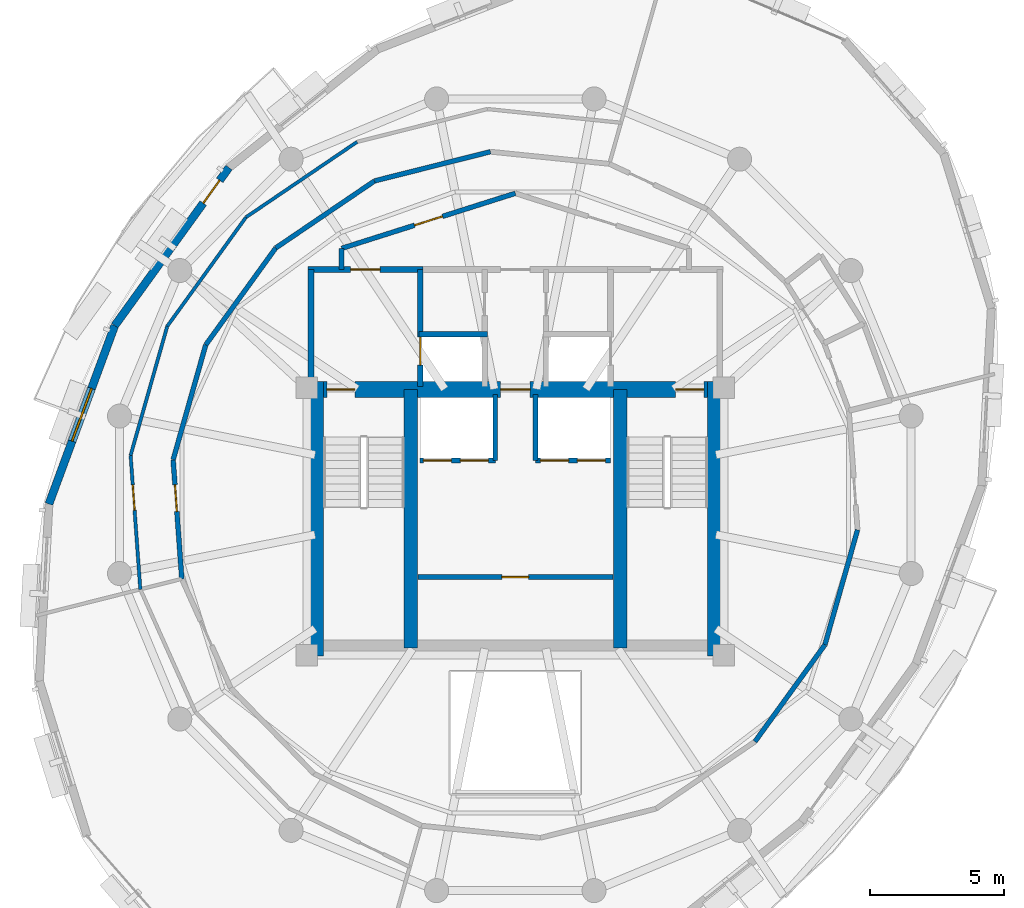
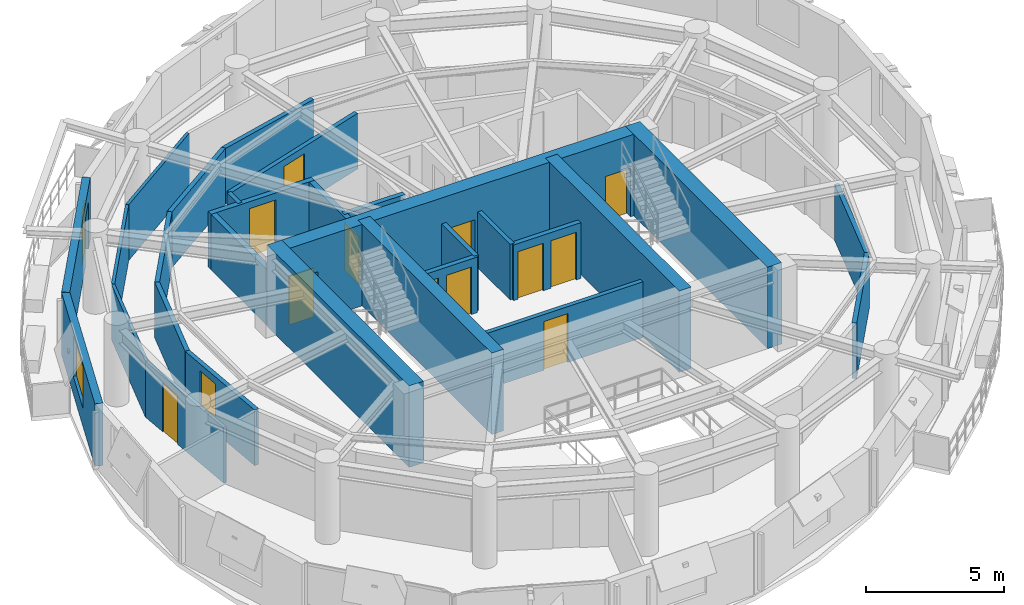
# One storey, part 7 of 11: 29 walls, 14 doors, 1 window, 15 openings.
"""IFC4 building model written with IfcOpenShell, lengths in metres."""

from ifc_helpers import new_model, si_unit, direction, frame, frame_2d, origin, place, context, subcontext, project, spatial, rectangle, extrude, material, layer, layer_set, type_object, element, fill, save


model = new_model("IFC4")

# Units and contexts
model_context = context("Model", 3, precision=1e-05, world=origin(), true_north=direction((0.0, 1.0)))
body_context = subcontext(model_context, "Body", "Model", "MODEL_VIEW")
ifc_project = project(units=[si_unit("LENGTHUNIT", "METRE"), si_unit("AREAUNIT", "SQUARE_METRE"), si_unit("VOLUMEUNIT", "CUBIC_METRE"), si_unit("PLANEANGLEUNIT", "RADIAN"), si_unit("MASSUNIT", "GRAM", prefix="KILO"), si_unit("THERMODYNAMICTEMPERATUREUNIT", "KELVIN"), si_unit("POWERUNIT", "WATT")], contexts=[model_context])

# Site, building, storey
site_placement = place(None, origin())
site = spatial("IfcSite", under=ifc_project, at=site_placement, CompositionType="ELEMENT")
building_placement = place(site_placement, origin())
building = spatial("IfcBuilding", under=site, at=building_placement, Name="Ocrelia Relay Tower", CompositionType="ELEMENT")
storey_placement = place(building_placement, frame((0.0, 0.0, 255.60009765625)))
storey = spatial("IfcBuildingStorey", under=building, at=storey_placement, Name="L63", CompositionType="ELEMENT", Elevation=255.60009765625)

# Wall, openings, doors
ifc_material_1 = material(Name="Concrete C50/60", Category="concrete")
ifc_layer_1 = layer(ifc_material_1, 0.60009765625, Name="Concrete C50/60")
ifc_layer_set_1 = layer_set([ifc_layer_1], Name="Concrete C50/60")
wall_type_1 = type_object("IfcWallType", Name="CW-CORE-600B", PredefinedType="SHEAR", material=ifc_layer_set_1)
wall_1_placement = place(storey_placement, frame((26.221923828125, 29.93798828125, 0.0), z_axis=(0.0, 0.0, 1.0), x_axis=(1.0, 0.0, 0.0)))
wall_1 = element("IfcWall", 1, at=wall_1_placement, inside=storey, type_object=wall_type_1, Name="L63 Core Shear Wall N", PredefinedType="SHEAR", context=body_context, shape_type="SweptSolid", body=[
    extrude(rectangle(XDim=15.566162109375, YDim=0.60009765625, at=frame_2d((7.783203125, 0.0))), origin(), (0.0, 0.0, 1.0), 3.599853515625),
])
opening_1_placement = place(wall_1_placement, frame((0.72802734375, 0.0, 0.0)))
opening_1 = element("IfcOpeningElement", 2, at=opening_1_placement, cuts=wall_1, Name="Opening D-FD90", PredefinedType="OPENING", context=body_context, shape_type="SweptSolid", body=[
    extrude(rectangle(XDim=1.050048828125, YDim=2.14990234375, at=frame_2d((0.52490234375, 1.074951171875))), frame((0.0, 0.31005859375, 0.0), z_axis=(0.0, -1.0, 0.0), x_axis=(1.0, 0.0, 0.0)), (0.0, 0.0, 1.0), 0.6201171875),
])
opening_2_placement = place(wall_1_placement, frame((13.778076171875, 0.0, 0.0)))
opening_2 = element("IfcOpeningElement", 3, at=opening_2_placement, cuts=wall_1, Name="Opening D-FD90", PredefinedType="OPENING", context=body_context, shape_type="SweptSolid", body=[
    extrude(rectangle(XDim=1.050048828125, YDim=2.14990234375, at=frame_2d((0.52490234375, 1.074951171875))), frame((0.0, 0.31005859375, 0.0), z_axis=(0.0, -1.0, 0.0), x_axis=(1.0, 0.0, 0.0)), (0.0, 0.0, 1.0), 0.6201171875),
])
opening_3_placement = place(wall_1_placement, frame((7.22802734375, 0.0, 0.0)))
opening_3 = element("IfcOpeningElement", 4, at=opening_3_placement, cuts=wall_1, Name="Opening D-FD60", PredefinedType="OPENING", context=body_context, shape_type="SweptSolid", body=[
    extrude(rectangle(XDim=1.10009765625, YDim=2.14990234375, at=frame_2d((0.550048828125, 1.074951171875))), frame((0.0, 0.31005859375, 0.0), z_axis=(0.0, -1.0, 0.0), x_axis=(1.0, 0.0, 0.0)), (0.0, 0.0, 1.0), 0.6201171875),
])
ifc_material_2 = material(Name="Timber-core 60-min acoustic fire door", Category="wood")
door_type_1 = type_object("IfcDoorType", Name="DR-LOBBY-FD60-1100", OperationType="NOTDEFINED", PredefinedType="DOOR", material=ifc_material_2)
door_1_placement = place(opening_3_placement, origin())
door_1 = element("IfcDoor", 5, at=door_1_placement, inside=storey, type_object=door_type_1, Name="L63 Core Lift Lobby North Fire Door", OperationType="SINGLE_SWING_LEFT", OverallHeight=2.14990234375, OverallWidth=1.10009765625, PredefinedType="DOOR", context=body_context, shape_type="SweptSolid", body=[
    extrude(rectangle(XDim=1.10009765625, YDim=2.14990234375, at=frame_2d((0.550048828125, 1.074951171875))), frame((0.0, 0.02490234375, 0.0), z_axis=(0.0, -1.0, 0.0), x_axis=(1.0, 0.0, 0.0)), (0.0, 0.0, 1.0), 0.050048828125),
])
fill(opening_3, door_1)
ifc_material_3 = material(Name="Steel S355 90-min fire door", Category="steel")
door_type_2 = type_object("IfcDoorType", Name="DR-STAIR-FD90-1050", OperationType="NOTDEFINED", PredefinedType="DOOR", material=ifc_material_3)
door_2_placement = place(opening_1_placement, origin())
door_2 = element("IfcDoor", 6, at=door_2_placement, inside=storey, type_object=door_type_2, Name="L63 Stair ST1 Fire Door", OperationType="SINGLE_SWING_LEFT", OverallHeight=2.14990234375, OverallWidth=1.050048828125, PredefinedType="DOOR", context=body_context, shape_type="SweptSolid", body=[
    extrude(rectangle(XDim=1.050048828125, YDim=2.14990234375, at=frame_2d((0.52490234375, 1.074951171875))), frame((0.0, 0.02490234375, 0.0), z_axis=(0.0, -1.0, 0.0), x_axis=(1.0, 0.0, 0.0)), (0.0, 0.0, 1.0), 0.050048828125),
])
fill(opening_1, door_2)
door_3_placement = place(opening_2_placement, origin())
door_3 = element("IfcDoor", 7, at=door_3_placement, inside=storey, type_object=door_type_2, Name="L63 Stair ST2 Fire Door", OperationType="SINGLE_SWING_RIGHT", OverallHeight=2.14990234375, OverallWidth=1.050048828125, PredefinedType="DOOR", context=body_context, shape_type="SweptSolid", body=[
    extrude(rectangle(XDim=1.050048828125, YDim=2.14990234375, at=frame_2d((0.52490234375, 1.074951171875))), frame((0.0, 0.02490234375, 0.0), z_axis=(0.0, -1.0, 0.0), x_axis=(1.0, 0.0, 0.0)), (0.0, 0.0, 1.0), 0.050048828125),
])
fill(opening_2, door_3)

# Walls
for number, where, z_axis, x_axis, name in (
    (8, (26.52197265625, 19.9619140625, 0.0), (0.0, 0.0, 1.0), (0.0, 1.0, 0.0), "L63 Core Shear Wall W"),
    (9, (41.488037109375, 19.9619140625, 0.0), (0.0, 0.0, 1.0), (0.0, 1.0, 0.0), "L63 Core Shear Wall E"),
):
    element("IfcWall", number, at=place(storey_placement, frame(where, z_axis=z_axis, x_axis=x_axis)), inside=storey, type_object=wall_type_1, Name=name, PredefinedType="SHEAR", context=body_context, shape_type="SweptSolid", body=[
        extrude(rectangle(XDim=10.276123046875, YDim=0.60009765625, at=frame_2d((5.13818359375, 0.0))), origin(), (0.0, 0.0, 1.0), 3.599853515625),
    ])
for number, where, z_axis, x_axis, name in (
    (10, (30.087890625, 20.261962890625, 0.0), (0.0, 0.0, 1.0), (0.0, 1.0, 0.0), "L63 Core Shear Wall SPW"),
    (11, (37.922119140625, 20.261962890625, 0.0), (0.0, 0.0, 1.0), (0.0, 1.0, 0.0), "L63 Core Shear Wall SPE"),
):
    element("IfcWall", number, at=place(storey_placement, frame(where, z_axis=z_axis, x_axis=x_axis)), inside=storey, type_object=wall_type_1, Name=name, PredefinedType="SHEAR", context=body_context, shape_type="SweptSolid", body=[
        extrude(rectangle(XDim=9.676025390625, YDim=0.5, at=frame_2d((4.837890625, 0.0))), origin(), (0.0, 0.0, 1.0), 3.599853515625),
    ])

# Wall, opening, door
ifc_material_4 = material(Name="Gypsum Fireboard Partition EI60", Category="gypsum")
ifc_layer_2 = layer(ifc_material_4, 0.179931640625, Name="Gypsum Fireboard Partition EI60")
ifc_layer_set_2 = layer_set([ifc_layer_2], Name="Gypsum Fireboard Partition EI60")
wall_type_2 = type_object("IfcWallType", Name="W-CORR-EI60-180", PredefinedType="PARTITIONING", material=ifc_layer_set_2)
wall_2_placement = place(storey_placement, frame((30.35009765625, 22.919921875, 0.0), z_axis=(0.0, 0.0, 1.0), x_axis=(1.0, 0.0, 0.0)))
wall_2 = element("IfcWall", 12, at=wall_2_placement, inside=storey, type_object=wall_type_2, Name="L63 Reclaimed Core Room Partition", PredefinedType="PARTITIONING", context=body_context, shape_type="SweptSolid", body=[
    extrude(rectangle(XDim=7.2998046875, YDim=0.179931640625, at=frame_2d((3.64990234375, 0.0))), origin(), (0.0, 0.0, 1.0), 2.4599609375),
])
opening_4_placement = place(wall_2_placement, frame((3.14990234375, 0.0, 0.0)))
opening_4 = element("IfcOpeningElement", 13, at=opening_4_placement, cuts=wall_2, Name="Opening D-RM100", PredefinedType="OPENING", context=body_context, shape_type="SweptSolid", body=[
    extrude(rectangle(XDim=1.0, YDim=2.14990234375, at=frame_2d((0.5, 1.074951171875))), frame((0.0, 0.10009765625, 0.0), z_axis=(0.0, -1.0, 0.0), x_axis=(1.0, 0.0, 0.0)), (0.0, 0.0, 1.0), 0.199951171875),
])
ifc_material_5 = material(Name="Acoustic oak veneer fire door", Category="wood")
door_type_3 = type_object("IfcDoorType", Name="DR-ROOM-FD60-1000", OperationType="NOTDEFINED", PredefinedType="DOOR", material=ifc_material_5)
door_4_placement = place(opening_4_placement, origin())
door_4 = element("IfcDoor", 14, at=door_4_placement, inside=storey, type_object=door_type_3, Name="L63 Calibration Laboratory Door", OperationType="SINGLE_SWING_LEFT", OverallHeight=2.14990234375, OverallWidth=1.0, PredefinedType="DOOR", context=body_context, shape_type="SweptSolid", body=[
    extrude(rectangle(XDim=1.0, YDim=2.14990234375, at=frame_2d((0.5, 1.074951171875))), frame((0.0, 0.02490234375, 0.0), z_axis=(0.0, -1.0, 0.0), x_axis=(1.0, 0.0, 0.0)), (0.0, 0.0, 1.0), 0.050048828125),
])
fill(opening_4, door_4)

# Wall
wall_3_placement = place(storey_placement, frame((27.5, 34.429931640625, 0.0), z_axis=(0.0, 0.0, 1.0), x_axis=(0.0, 1.0, 0.0)))
element("IfcWall", 15, at=wall_3_placement, inside=storey, type_object=wall_type_2, Name="L63 Smoke Lobby West Return", PredefinedType="PARTITIONING", context=body_context, shape_type="SweptSolid", body=[
    extrude(rectangle(XDim=0.7890625, YDim=0.179931640625, at=frame_2d((0.39453125, 0.0))), origin(), (0.0, 0.0, 1.0), 2.4599609375),
])

# Wall, opening, door
wall_4_placement = place(storey_placement, frame((27.5, 35.218994140625, 0.0), z_axis=(0.0, 0.0, 1.0), x_axis=(0.953228121756, 0.302251795518, 0.0)))
wall_4 = element("IfcWall", 16, at=wall_4_placement, inside=storey, type_object=wall_type_2, Name="L63 North Smoke Lobby W Screen Wall", PredefinedType="PARTITIONING", context=body_context, shape_type="SweptSolid", body=[
    extrude(rectangle(XDim=6.81884765625, YDim=0.179931640625, at=frame_2d((3.409423828125, 0.0))), origin(), (0.0, 0.0, 1.0), 2.4599609375),
])
opening_5_placement = place(wall_4_placement, frame((2.859619140625, 0.0, 0.0)))
opening_5 = element("IfcOpeningElement", 17, at=opening_5_placement, cuts=wall_4, Name="Opening D-FD60", PredefinedType="OPENING", context=body_context, shape_type="SweptSolid", body=[
    extrude(rectangle(XDim=1.10009765625, YDim=2.14990234375, at=frame_2d((0.550048828125, 1.074951171875))), frame((0.0, 0.10009765625, 0.0), z_axis=(0.0, -1.0, 0.0), x_axis=(1.0, 0.0, 0.0)), (0.0, 0.0, 1.0), 0.199951171875),
])
door_5_placement = place(opening_5_placement, origin())
door_5 = element("IfcDoor", 18, at=door_5_placement, inside=storey, type_object=door_type_1, Name="L63 North Smoke Lobby W Fire Door", OperationType="SINGLE_SWING_RIGHT", OverallHeight=2.14990234375, OverallWidth=1.10009765625, PredefinedType="DOOR", context=body_context, shape_type="SweptSolid", body=[
    extrude(rectangle(XDim=1.10009765625, YDim=2.14990234375, at=frame_2d((0.550048828125, 1.074951171875))), frame((0.0, 0.02490234375, 0.0), z_axis=(0.0, -1.0, 0.0), x_axis=(1.0, 0.0, 0.0)), (0.0, 0.0, 1.0), 0.050048828125),
])
fill(opening_5, door_5)

# Walls
wall_5_placement = place(storey_placement, frame((33.068603515625, 38.836181640625, 0.0), z_axis=(0.0, 0.0, 1.0), x_axis=(-0.969665095123, -0.244437319777, 0.0)))
element("IfcWall", 19, at=wall_5_placement, inside=storey, type_object=wall_type_2, Name="L63 Principal Reading Gallery Corridor Partition 2", PredefinedType="PARTITIONING", context=body_context, shape_type="SweptSolid", body=[
    extrude(rectangle(XDim=4.469482421875, YDim=0.179931640625, at=frame_2d((2.23486328125, 0.0))), origin(), (0.0, 0.0, 1.0), 2.4599609375),
])
for number, where, z_axis, x_axis, name in (
    (20, (28.734619140625, 37.74365234375, 0.0), (0.0, 0.0, 1.0), (-0.827595393885, -0.561325096552, 0.0), "L63 Principal Reading Gallery Corridor Partition 3"),
    (21, (25.035400390625, 35.234619140625, 0.0), (0.0, 0.0, 1.0), (-0.585642107476, -0.810569751441, 0.0), "L63 Principal Reading Gallery Corridor Partition 4"),
    (22, (22.417724609375, 31.611572265625, 0.0), (0.0, 0.0, 1.0), (-0.27310478407, -0.961984291409, 0.0), "L63 Principal Reading Gallery Corridor Partition 5"),
):
    element("IfcWall", number, at=place(storey_placement, frame(where, z_axis=z_axis, x_axis=x_axis)), inside=storey, type_object=wall_type_2, Name=name, PredefinedType="PARTITIONING", context=body_context, shape_type="SweptSolid", body=[
        extrude(rectangle(XDim=4.4697265625, YDim=0.179931640625, at=frame_2d((2.23486328125, 0.0))), origin(), (0.0, 0.0, 1.0), 2.4599609375),
    ])

# Wall, opening, door
wall_6_placement = place(storey_placement, frame((21.197021484375, 27.311767578125, 0.0), z_axis=(0.0, 0.0, 1.0), x_axis=(0.072372694258, -0.997377658225, 0.0)))
wall_6 = element("IfcWall", 23, at=wall_6_placement, inside=storey, type_object=wall_type_2, Name="L63 Principal Reading Gallery Corridor Partition 6", PredefinedType="PARTITIONING", context=body_context, shape_type="SweptSolid", body=[
    extrude(rectangle(XDim=4.4697265625, YDim=0.179931640625, at=frame_2d((2.23486328125, 0.0))), origin(), (0.0, 0.0, 1.0), 2.4599609375),
])
opening_6_placement = place(wall_6_placement, frame((0.9423828125, 0.0, 0.0)))
opening_6 = element("IfcOpeningElement", 24, at=opening_6_placement, cuts=wall_6, Name="Opening D-RM100", PredefinedType="OPENING", context=body_context, shape_type="SweptSolid", body=[
    extrude(rectangle(XDim=1.0, YDim=2.14990234375, at=frame_2d((0.5, 1.074951171875))), frame((0.0, 0.10009765625, 0.0), z_axis=(0.0, -1.0, 0.0), x_axis=(1.0, 0.0, 0.0)), (0.0, 0.0, 1.0), 0.199951171875),
])
door_6_placement = place(opening_6_placement, origin())
door_6 = element("IfcDoor", 25, at=door_6_placement, inside=storey, type_object=door_type_3, Name="L63 Principal Reading Gallery Entrance Door", OperationType="SINGLE_SWING_LEFT", OverallHeight=2.14990234375, OverallWidth=1.0, PredefinedType="DOOR", context=body_context, shape_type="SweptSolid", body=[
    extrude(rectangle(XDim=1.0, YDim=2.14990234375, at=frame_2d((0.5, 1.074951171875))), frame((0.0, 0.02490234375, 0.0), z_axis=(0.0, -1.0, 0.0), x_axis=(1.0, 0.0, 0.0)), (0.0, 0.0, 1.0), 0.050048828125),
])
fill(opening_6, door_6)

# Walls
for number, where, z_axis, x_axis, name in (
    (26, (42.964599609375, 16.765380859375, 0.0), (0.0, 0.0, 1.0), (0.585642107476, 0.810569751441, 0.0), "L63 Fellows Quiet Study Corridor Partition 4"),
    (27, (45.582275390625, 20.388427734375, 0.0), (0.0, 0.0, 1.0), (0.27310478407, 0.961984291409, 0.0), "L63 Fellows Quiet Study Corridor Partition 5"),
):
    element("IfcWall", number, at=place(storey_placement, frame(where, z_axis=z_axis, x_axis=x_axis)), inside=storey, type_object=wall_type_2, Name=name, PredefinedType="PARTITIONING", context=body_context, shape_type="SweptSolid", body=[
        extrude(rectangle(XDim=4.4697265625, YDim=0.179931640625, at=frame_2d((2.23486328125, 0.0))), origin(), (0.0, 0.0, 1.0), 2.4599609375),
    ])

# Wall, opening, door
ifc_material_6 = material(Name="Precast concrete C40/50 with oxide terracotta", Category="masonry")
ifc_layer_3 = layer(ifc_material_6, 0.300048828125, Name="Precast concrete C40/50 with oxide terracotta")
ifc_layer_set_3 = layer_set([ifc_layer_3], Name="Precast concrete C40/50 with oxide terracotta")
wall_type_3 = type_object("IfcWallType", Name="W-EXT-TERR-300", PredefinedType="SOLIDWALL", material=ifc_layer_set_3)
wall_7_placement = place(storey_placement, frame((23.283935546875, 38.24169921875, 0.0), z_axis=(0.0, 0.0, 1.0), x_axis=(-0.585646986442, -0.810566226333, 0.0)))
wall_7 = element("IfcWall", 28, at=wall_7_placement, inside=storey, type_object=wall_type_3, Name="L63 Oxide Terracotta Facade Wall 05", PredefinedType="SOLIDWALL", context=body_context, shape_type="SweptSolid", body=[
    extrude(rectangle(XDim=7.293212890625, YDim=0.300048828125, at=frame_2d((3.646484375, 0.0))), origin(), (0.0, 0.0, 1.0), 2.760009765625),
])
opening_7_placement = place(wall_7_placement, frame((0.590087890625, 0.0, 0.0)))
opening_7 = element("IfcOpeningElement", 29, at=opening_7_placement, cuts=wall_7, Name="Opening DB-105", PredefinedType="OPENING", context=body_context, shape_type="SweptSolid", body=[
    extrude(rectangle(XDim=1.050048828125, YDim=2.14990234375, at=frame_2d((0.52490234375, 1.074951171875))), frame((0.0, 0.16015625, 0.0), z_axis=(0.0, -1.0, 0.0), x_axis=(1.0, 0.0, 0.0)), (0.0, 0.0, 1.0), 0.320068359375),
])
ifc_material_7 = material(Name="Thermally broken aluminium and clear glass", Category="aluminium")
door_type_4 = type_object("IfcDoorType", Name="DR-BALC-1050", OperationType="NOTDEFINED", PredefinedType="DOOR", material=ifc_material_7)
door_7_placement = place(opening_7_placement, origin())
door_7 = element("IfcDoor", 30, at=door_7_placement, inside=storey, type_object=door_type_4, Name="L63 Planted Loggia Balcony Door B1", OperationType="SINGLE_SWING_LEFT", OverallHeight=2.14990234375, OverallWidth=1.050048828125, PredefinedType="DOOR", context=body_context, shape_type="SweptSolid", body=[
    extrude(rectangle(XDim=1.050048828125, YDim=2.14990234375, at=frame_2d((0.52490234375, 1.074951171875))), frame((0.0, 0.02490234375, 0.0), z_axis=(0.0, -1.0, 0.0), x_axis=(1.0, 0.0, 0.0)), (0.0, 0.0, 1.0), 0.050048828125),
])
fill(opening_7, door_7)

# Wall, opening, window
wall_8_placement = place(storey_placement, frame((19.0126953125, 32.330078125, 0.0), z_axis=(0.0, 0.0, 1.0), x_axis=(-0.346249114685, -0.938142606739, 0.0)))
wall_8 = element("IfcWall", 31, at=wall_8_placement, inside=storey, type_object=wall_type_3, Name="L63 Oxide Terracotta Facade Wall 06", PredefinedType="SOLIDWALL", context=body_context, shape_type="SweptSolid", body=[
    extrude(rectangle(XDim=7.115234375, YDim=0.300048828125, at=frame_2d((3.5576171875, 0.0))), origin(), (0.0, 0.0, 1.0), 2.760009765625),
])
opening_8_placement = place(wall_8_placement, frame((2.508056640625, 0.0, 0.800048828125)))
opening_8 = element("IfcOpeningElement", 32, at=opening_8_placement, cuts=wall_8, Name="Opening W-07", PredefinedType="OPENING", context=body_context, shape_type="SweptSolid", body=[
    extrude(rectangle(XDim=2.10009765625, YDim=1.85009765625, at=frame_2d((1.050048828125, 0.925048828125))), frame((0.0, 0.16015625, 0.0), z_axis=(0.0, -1.0, 0.0), x_axis=(1.0, 0.0, 0.0)), (0.0, 0.0, 1.0), 0.320068359375),
])
ifc_material_8 = material(Name="Clear double-glazed low-E glass", Category="glass")
window_type = type_object("IfcWindowType", Name="WIN-Z4-2100x2200", PartitioningType="DOUBLE_PANEL_VERTICAL", PredefinedType="WINDOW", material=ifc_material_8)
window_placement = place(opening_8_placement, origin())
window = element("IfcWindow", 33, at=window_placement, inside=storey, type_object=window_type, Name="L63 Facade Module Window 06", OverallHeight=1.85009765625, OverallWidth=2.10009765625, PartitioningType="SINGLE_PANEL", PredefinedType="WINDOW", context=body_context, shape_type="SweptSolid", body=[
    extrude(rectangle(XDim=2.10009765625, YDim=1.85009765625, at=frame_2d((1.050048828125, 0.925048828125))), frame((0.0, 0.030029296875, 0.0), z_axis=(0.0, -1.0, 0.0), x_axis=(1.0, 0.0, 0.0)), (0.0, 0.0, 1.0), 0.06005859375),
])
fill(opening_8, window)

# Wall
ifc_layer_4 = layer(ifc_material_1, 0.219970703125, Name="Concrete C50/60")
ifc_layer_set_4 = layer_set([ifc_layer_4], Name="Concrete C50/60")
wall_type_4 = type_object("IfcWallType", Name="W-FFL-EI120-220", PredefinedType="SOLIDWALL", material=ifc_layer_set_4)
wall_9_placement = place(storey_placement, frame((26.35009765625, 30.050048828125, 0.0), z_axis=(0.0, 0.0, 1.0), x_axis=(0.0, 1.0, 0.0)))
element("IfcWall", 34, at=wall_9_placement, inside=storey, type_object=wall_type_4, Name="L63 W Fire Service Lift Lobby West Wall", PredefinedType="SOLIDWALL", context=body_context, shape_type="SweptSolid", body=[
    extrude(rectangle(XDim=4.3798828125, YDim=0.219970703125, at=frame_2d((2.18994140625, 0.0))), origin(), (0.0, 0.0, 1.0), 2.4599609375),
])

# Wall, opening, door
wall_10_placement = place(storey_placement, frame((30.43994140625, 30.050048828125, 0.0), z_axis=(0.0, 0.0, 1.0), x_axis=(0.0, 1.0, 0.0)))
wall_10 = element("IfcWall", 35, at=wall_10_placement, inside=storey, type_object=wall_type_4, Name="L63 W Fire Service Lift Lobby East Wall", PredefinedType="SOLIDWALL", context=body_context, shape_type="SweptSolid", body=[
    extrude(rectangle(XDim=4.3798828125, YDim=0.219970703125, at=frame_2d((2.18994140625, 0.0))), origin(), (0.0, 0.0, 1.0), 2.4599609375),
])
opening_9_placement = place(wall_10_placement, frame((0.800048828125, 0.0, 0.0)))
opening_9 = element("IfcOpeningElement", 36, at=opening_9_placement, cuts=wall_10, Name="Opening LD-FFL1", PredefinedType="OPENING", context=body_context, shape_type="SweptSolid", body=[
    extrude(rectangle(XDim=1.050048828125, YDim=2.10009765625, at=frame_2d((0.52490234375, 1.050048828125))), frame((0.0, 0.1201171875, 0.0), z_axis=(0.0, -1.0, 0.0), x_axis=(1.0, 0.0, 0.0)), (0.0, 0.0, 1.0), 0.239990234375),
])
ifc_material_9 = material(Name="Brushed stainless steel S355 lift landing door", Category="steel")
door_type_5 = type_object("IfcDoorType", Name="DR-LIFT-LAND-1050", OperationType="DOUBLE_DOOR_SLIDING", PredefinedType="USERDEFINED", material=ifc_material_9)
door_8_placement = place(opening_9_placement, origin())
door_8 = element("IfcDoor", 37, at=door_8_placement, inside=storey, type_object=door_type_5, Name="L63 Firefighting Lift FFL1 Sliding Landing Door", ObjectType="LANDING DOOR", OperationType="DOUBLE_DOOR_SLIDING", OverallHeight=2.10009765625, OverallWidth=1.050048828125, PredefinedType="USERDEFINED", context=body_context, shape_type="SweptSolid", body=[
    extrude(rectangle(XDim=1.050048828125, YDim=2.10009765625, at=frame_2d((0.52490234375, 1.050048828125))), frame((0.0, 0.02490234375, 0.0), z_axis=(0.0, -1.0, 0.0), x_axis=(1.0, 0.0, 0.0)), (0.0, 0.0, 1.0), 0.050048828125),
])
fill(opening_9, door_8)

wall_11_placement = place(storey_placement, frame((26.239990234375, 34.429931640625, 0.0), z_axis=(0.0, 0.0, 1.0), x_axis=(1.0, 0.0, 0.0)))
wall_11 = element("IfcWall", 38, at=wall_11_placement, inside=storey, type_object=wall_type_4, Name="L63 W Fire Service Lift Lobby North Wall", PredefinedType="SOLIDWALL", context=body_context, shape_type="SweptSolid", body=[
    extrude(rectangle(XDim=4.31005859375, YDim=0.219970703125, at=frame_2d((2.155029296875, 0.0))), origin(), (0.0, 0.0, 1.0), 2.4599609375),
])
opening_10_placement = place(wall_11_placement, frame((1.60009765625, 0.0, 0.0)))
opening_10 = element("IfcOpeningElement", 39, at=opening_10_placement, cuts=wall_11, Name="Opening D-FD60", PredefinedType="OPENING", context=body_context, shape_type="SweptSolid", body=[
    extrude(rectangle(XDim=1.10009765625, YDim=2.14990234375, at=frame_2d((0.550048828125, 1.074951171875))), frame((0.0, 0.1201171875, 0.0), z_axis=(0.0, -1.0, 0.0), x_axis=(1.0, 0.0, 0.0)), (0.0, 0.0, 1.0), 0.239990234375),
])
door_9_placement = place(opening_10_placement, origin())
door_9 = element("IfcDoor", 40, at=door_9_placement, inside=storey, type_object=door_type_1, Name="L63 W Fire Service Lift Lobby Exit Door", OperationType="SINGLE_SWING_RIGHT", OverallHeight=2.14990234375, OverallWidth=1.10009765625, PredefinedType="DOOR", context=body_context, shape_type="SweptSolid", body=[
    extrude(rectangle(XDim=1.10009765625, YDim=2.14990234375, at=frame_2d((0.550048828125, 1.074951171875))), frame((0.0, 0.02490234375, 0.0), z_axis=(0.0, -1.0, 0.0), x_axis=(1.0, 0.0, 0.0)), (0.0, 0.0, 1.0), 0.050048828125),
])
fill(opening_10, door_9)

# Walls
ifc_material_10 = material(Name="Acoustic Fireboard Partition EI60", Category="gypsum")
ifc_layer_5 = layer(ifc_material_10, 0.125, Name="Acoustic Fireboard Partition EI60")
ifc_layer_set_5 = layer_set([ifc_layer_5], Name="Acoustic Fireboard Partition EI60")
wall_type_5 = type_object("IfcWallType", Name="W-PART-125", PredefinedType="PARTITIONING", material=ifc_layer_set_5)
wall_12_placement = place(storey_placement, frame((28.079833984375, 39.20361328125, 0.0), z_axis=(0.0, 0.0, 1.0), x_axis=(-0.827561219807, -0.561375478153, 0.0)))
element("IfcWall", 41, at=wall_12_placement, inside=storey, type_object=wall_type_5, Name="L63 Perimeter Principal Reading Gallery Mid-Ring Partition 3", PredefinedType="PARTITIONING", context=body_context, shape_type="SweptSolid", body=[
    extrude(rectangle(XDim=5.025146484375, YDim=0.125, at=frame_2d((2.5126953125, 0.0))), origin(), (0.0, 0.0, 1.0), 2.4599609375),
])
wall_13_placement = place(storey_placement, frame((23.921142578125, 36.382568359375, 0.0), z_axis=(0.0, 0.0, 1.0), x_axis=(-0.585673229048, -0.810547264986, 0.0)))
element("IfcWall", 42, at=wall_13_placement, inside=storey, type_object=wall_type_5, Name="L63 Perimeter Principal Reading Gallery Mid-Ring Partition 4", PredefinedType="PARTITIONING", context=body_context, shape_type="SweptSolid", body=[
    extrude(rectangle(XDim=5.025634765625, YDim=0.125, at=frame_2d((2.5126953125, 0.0))), origin(), (0.0, 0.0, 1.0), 2.4599609375),
])
wall_14_placement = place(storey_placement, frame((20.977783203125, 32.30908203125, 0.0), z_axis=(0.0, 0.0, 1.0), x_axis=(-0.273084494638, -0.961990051294, 0.0)))
element("IfcWall", 43, at=wall_14_placement, inside=storey, type_object=wall_type_5, Name="L63 Perimeter Principal Reading Gallery Mid-Ring Partition 5", PredefinedType="PARTITIONING", context=body_context, shape_type="SweptSolid", body=[
    extrude(rectangle(XDim=5.025146484375, YDim=0.125, at=frame_2d((2.5126953125, 0.0))), origin(), (0.0, 0.0, 1.0), 2.4599609375),
])

# Wall, opening, door
wall_15_placement = place(storey_placement, frame((19.60546875, 27.474853515625, 0.0), z_axis=(0.0, 0.0, 1.0), x_axis=(0.07233799713, -0.997380175345, 0.0)))
wall_15 = element("IfcWall", 44, at=wall_15_placement, inside=storey, type_object=wall_type_5, Name="L63 Perimeter Principal Reading Gallery Mid-Ring Partition 6", PredefinedType="PARTITIONING", context=body_context, shape_type="SweptSolid", body=[
    extrude(rectangle(XDim=5.025390625, YDim=0.125, at=frame_2d((2.5126953125, 0.0))), origin(), (0.0, 0.0, 1.0), 2.4599609375),
])
opening_11_placement = place(wall_15_placement, frame((1.10888671875, 0.0, 0.0)))
opening_11 = element("IfcOpeningElement", 45, at=opening_11_placement, cuts=wall_15, Name="Opening D-RM95", PredefinedType="OPENING", context=body_context, shape_type="SweptSolid", body=[
    extrude(rectangle(XDim=0.949951171875, YDim=2.14990234375, at=frame_2d((0.47509765625, 1.074951171875))), frame((0.0, 0.072509765625, 0.0), z_axis=(0.0, -1.0, 0.0), x_axis=(1.0, 0.0, 0.0)), (0.0, 0.0, 1.0), 0.14501953125),
])
door_type_6 = type_object("IfcDoorType", Name="DR-ROOM-950", OperationType="NOTDEFINED", PredefinedType="DOOR", material=ifc_material_5)
door_10_placement = place(opening_11_placement, origin())
door_10 = element("IfcDoor", 46, at=door_10_placement, inside=storey, type_object=door_type_6, Name="L63 Perimeter Principal Reading Gallery Connecting Door", OperationType="SINGLE_SWING_RIGHT", OverallHeight=2.14990234375, OverallWidth=0.949951171875, PredefinedType="DOOR", context=body_context, shape_type="SweptSolid", body=[
    extrude(rectangle(XDim=0.949951171875, YDim=2.14990234375, at=frame_2d((0.47509765625, 1.074951171875))), frame((0.0, 0.02490234375, 0.0), z_axis=(0.0, -1.0, 0.0), x_axis=(1.0, 0.0, 0.0)), (0.0, 0.0, 1.0), 0.050048828125),
])
fill(opening_11, door_10)

# Wall
ifc_layer_6 = layer(ifc_material_1, 0.199951171875, Name="Concrete C50/60")
ifc_layer_set_6 = layer_set([ifc_layer_6], Name="Concrete C50/60")
wall_type_6 = type_object("IfcWallType", Name="W-SHAFT-EI120-200", PredefinedType="SOLIDWALL", material=ifc_layer_set_6)
wall_16_placement = place(storey_placement, frame((30.39990234375, 32.0, 0.0), z_axis=(0.0, 0.0, 1.0), x_axis=(1.0, 0.0, 0.0)))
element("IfcWall", 47, at=wall_16_placement, inside=storey, type_object=wall_type_6, Name="L63 FFL1 Hoistway North Wall", PredefinedType="SOLIDWALL", context=body_context, shape_type="SweptSolid", body=[
    extrude(rectangle(XDim=2.550048828125, YDim=0.199951171875, at=frame_2d((1.27490234375, 0.0))), origin(), (0.0, 0.0, 1.0), 2.4599609375),
])

# Wall, openings, doors
wall_17_placement = place(storey_placement, frame((30.43994140625, 27.280029296875, 0.0), z_axis=(0.0, 0.0, 1.0), x_axis=(1.0, 0.0, 0.0)))
wall_17 = element("IfcWall", 48, at=wall_17_placement, inside=storey, type_object=wall_type_6, Name="L63 High-Rise Lift Hoistway Wall W", PredefinedType="SOLIDWALL", context=body_context, shape_type="SweptSolid", body=[
    extrude(rectangle(XDim=2.81005859375, YDim=0.199951171875, at=frame_2d((1.405029296875, 0.0))), origin(), (0.0, 0.0, 1.0), 2.4599609375),
])
opening_12_placement = place(wall_17_placement, frame((0.1201171875, 0.0, 0.0)))
opening_12 = element("IfcOpeningElement", 49, at=opening_12_placement, cuts=wall_17, Name="Opening LD-PL5", PredefinedType="OPENING", context=body_context, shape_type="SweptSolid", body=[
    extrude(rectangle(XDim=1.050048828125, YDim=2.10009765625, at=frame_2d((0.52490234375, 1.050048828125))), frame((0.0, 0.10986328125, 0.0), z_axis=(0.0, -1.0, 0.0), x_axis=(1.0, 0.0, 0.0)), (0.0, 0.0, 1.0), 0.219970703125),
])
opening_13_placement = place(wall_17_placement, frame((1.5, 0.0, 0.0)))
opening_13 = element("IfcOpeningElement", 50, at=opening_13_placement, cuts=wall_17, Name="Opening LD-PL6", PredefinedType="OPENING", context=body_context, shape_type="SweptSolid", body=[
    extrude(rectangle(XDim=1.050048828125, YDim=2.10009765625, at=frame_2d((0.52490234375, 1.050048828125))), frame((0.0, 0.10986328125, 0.0), z_axis=(0.0, -1.0, 0.0), x_axis=(1.0, 0.0, 0.0)), (0.0, 0.0, 1.0), 0.219970703125),
])
door_11_placement = place(opening_12_placement, origin())
door_11 = element("IfcDoor", 51, at=door_11_placement, inside=storey, type_object=door_type_5, Name="L63 High-Rise Lift PL5 Sliding Landing Door", ObjectType="LANDING DOOR", OperationType="DOUBLE_DOOR_SLIDING", OverallHeight=2.10009765625, OverallWidth=1.050048828125, PredefinedType="USERDEFINED", context=body_context, shape_type="SweptSolid", body=[
    extrude(rectangle(XDim=1.050048828125, YDim=2.10009765625, at=frame_2d((0.52490234375, 1.050048828125))), frame((0.0, 0.02490234375, 0.0), z_axis=(0.0, -1.0, 0.0), x_axis=(1.0, 0.0, 0.0)), (0.0, 0.0, 1.0), 0.050048828125),
])
fill(opening_12, door_11)
door_12_placement = place(opening_13_placement, origin())
door_12 = element("IfcDoor", 52, at=door_12_placement, inside=storey, type_object=door_type_5, Name="L63 High-Rise Lift PL6 Sliding Landing Door", ObjectType="LANDING DOOR", OperationType="DOUBLE_DOOR_SLIDING", OverallHeight=2.10009765625, OverallWidth=1.050048828125, PredefinedType="USERDEFINED", context=body_context, shape_type="SweptSolid", body=[
    extrude(rectangle(XDim=1.050048828125, YDim=2.10009765625, at=frame_2d((0.52490234375, 1.050048828125))), frame((0.0, 0.02490234375, 0.0), z_axis=(0.0, -1.0, 0.0), x_axis=(1.0, 0.0, 0.0)), (0.0, 0.0, 1.0), 0.050048828125),
])
fill(opening_13, door_12)

# Wall
wall_18_placement = place(storey_placement, frame((33.25, 27.280029296875, 0.0), z_axis=(0.0, 0.0, 1.0), x_axis=(0.0, 1.0, 0.0)))
element("IfcWall", 53, at=wall_18_placement, inside=storey, type_object=wall_type_6, Name="L63 High-Rise Lift Throat Wall W", PredefinedType="SOLIDWALL", context=body_context, shape_type="SweptSolid", body=[
    extrude(rectangle(XDim=2.469970703125, YDim=0.179931640625, at=frame_2d((1.23486328125, 0.0))), origin(), (0.0, 0.0, 1.0), 2.4599609375),
])

# Wall, openings, doors
wall_19_placement = place(storey_placement, frame((34.75, 27.280029296875, 0.0), z_axis=(0.0, 0.0, 1.0), x_axis=(1.0, 0.0, 0.0)))
wall_19 = element("IfcWall", 54, at=wall_19_placement, inside=storey, type_object=wall_type_6, Name="L63 High-Rise Lift Hoistway Wall E", PredefinedType="SOLIDWALL", context=body_context, shape_type="SweptSolid", body=[
    extrude(rectangle(XDim=2.81005859375, YDim=0.199951171875, at=frame_2d((1.405029296875, 0.0))), origin(), (0.0, 0.0, 1.0), 2.4599609375),
])
opening_14_placement = place(wall_19_placement, frame((0.18994140625, 0.0, 0.0)))
opening_14 = element("IfcOpeningElement", 55, at=opening_14_placement, cuts=wall_19, Name="Opening LD-PL7", PredefinedType="OPENING", context=body_context, shape_type="SweptSolid", body=[
    extrude(rectangle(XDim=1.050048828125, YDim=2.10009765625, at=frame_2d((0.52490234375, 1.050048828125))), frame((0.0, 0.10986328125, 0.0), z_axis=(0.0, -1.0, 0.0), x_axis=(1.0, 0.0, 0.0)), (0.0, 0.0, 1.0), 0.219970703125),
])
opening_15_placement = place(wall_19_placement, frame((1.570068359375, 0.0, 0.0)))
opening_15 = element("IfcOpeningElement", 56, at=opening_15_placement, cuts=wall_19, Name="Opening LD-PL8", PredefinedType="OPENING", context=body_context, shape_type="SweptSolid", body=[
    extrude(rectangle(XDim=1.050048828125, YDim=2.10009765625, at=frame_2d((0.52490234375, 1.050048828125))), frame((0.0, 0.10986328125, 0.0), z_axis=(0.0, -1.0, 0.0), x_axis=(1.0, 0.0, 0.0)), (0.0, 0.0, 1.0), 0.219970703125),
])
door_13_placement = place(opening_14_placement, origin())
door_13 = element("IfcDoor", 57, at=door_13_placement, inside=storey, type_object=door_type_5, Name="L63 High-Rise Lift PL7 Sliding Landing Door", ObjectType="LANDING DOOR", OperationType="DOUBLE_DOOR_SLIDING", OverallHeight=2.10009765625, OverallWidth=1.050048828125, PredefinedType="USERDEFINED", context=body_context, shape_type="SweptSolid", body=[
    extrude(rectangle(XDim=1.050048828125, YDim=2.10009765625, at=frame_2d((0.52490234375, 1.050048828125))), frame((0.0, 0.02490234375, 0.0), z_axis=(0.0, -1.0, 0.0), x_axis=(1.0, 0.0, 0.0)), (0.0, 0.0, 1.0), 0.050048828125),
])
fill(opening_14, door_13)
door_14_placement = place(opening_15_placement, origin())
door_14 = element("IfcDoor", 58, at=door_14_placement, inside=storey, type_object=door_type_5, Name="L63 High-Rise Lift PL8 Sliding Landing Door", ObjectType="LANDING DOOR", OperationType="DOUBLE_DOOR_SLIDING", OverallHeight=2.10009765625, OverallWidth=1.050048828125, PredefinedType="USERDEFINED", context=body_context, shape_type="SweptSolid", body=[
    extrude(rectangle(XDim=1.050048828125, YDim=2.10009765625, at=frame_2d((0.52490234375, 1.050048828125))), frame((0.0, 0.02490234375, 0.0), z_axis=(0.0, -1.0, 0.0), x_axis=(1.0, 0.0, 0.0)), (0.0, 0.0, 1.0), 0.050048828125),
])
fill(opening_15, door_14)

# Wall
wall_20_placement = place(storey_placement, frame((34.75, 27.280029296875, 0.0), z_axis=(0.0, 0.0, 1.0), x_axis=(0.0, 1.0, 0.0)))
element("IfcWall", 59, at=wall_20_placement, inside=storey, type_object=wall_type_6, Name="L63 High-Rise Lift Throat Wall E", PredefinedType="SOLIDWALL", context=body_context, shape_type="SweptSolid", body=[
    extrude(rectangle(XDim=2.469970703125, YDim=0.179931640625, at=frame_2d((1.23486328125, 0.0))), origin(), (0.0, 0.0, 1.0), 2.4599609375),
])

save(model, "model.ifc")
